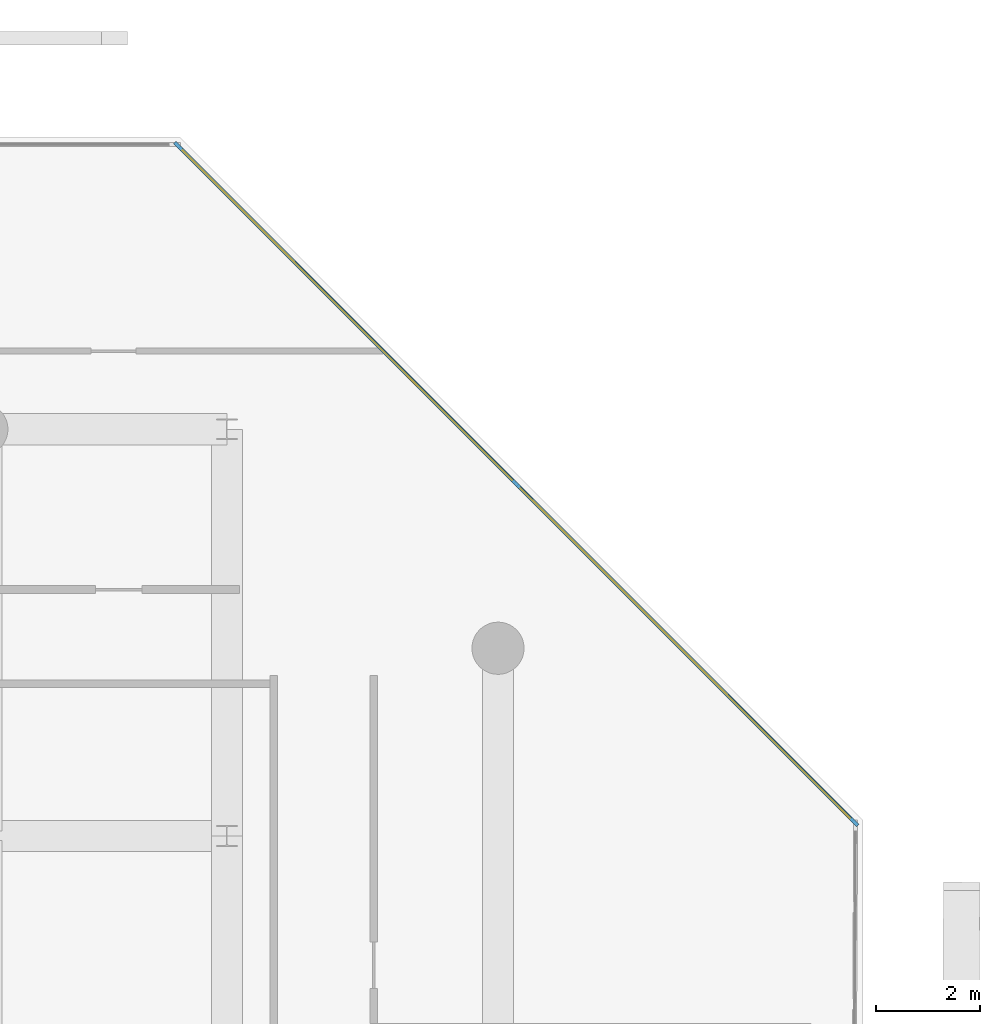
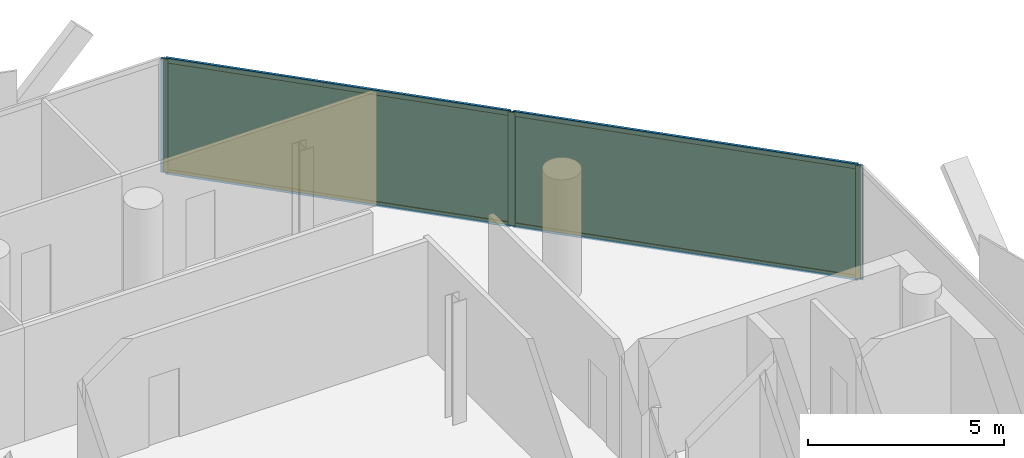
# One storey, part 13 of 16: 7 members, 2 plates, 1 curtain wall.
"""IFC4 building model written with IfcOpenShell, lengths in metres."""

from ifc_helpers import new_model, si_unit, direction, frame, frame_2d, origin, origin_2d, place, context, subcontext, project, spatial, rectangle, extrude, material, layer, layer_set, material_profile, profile_set, type_object, element, aggregate, save


model = new_model("IFC4")

# Units and contexts
model_context = context("Model", 3, precision=1e-05, world=origin(), true_north=direction((0.0, 1.0)))
body_context = subcontext(model_context, "Body", "Model", "MODEL_VIEW")
ifc_project = project(units=[si_unit("LENGTHUNIT", "METRE"), si_unit("AREAUNIT", "SQUARE_METRE"), si_unit("VOLUMEUNIT", "CUBIC_METRE"), si_unit("PLANEANGLEUNIT", "RADIAN"), si_unit("MASSUNIT", "GRAM", prefix="KILO")], contexts=[model_context])

# Member
ifc_material_1 = material(Name="Anodised Bronze Aluminium 6063-T6", Category="aluminium")
ifc_material_profile_1 = material_profile(ifc_material_1, rectangle(XDim=0.070068359375, YDim=0.18994140625, at=origin_2d()))
ifc_profile_set_1 = profile_set([ifc_material_profile_1], Name="Anodised Bronze Aluminium 6063-T6")
member_type_1 = type_object("IfcMemberType", Name="CW-SLC Mullion 70x190", PredefinedType="MULLION", material=ifc_profile_set_1)
site_placement = place(None, origin())
building_placement = place(site_placement, origin())
storey_placement = place(building_placement, frame((0.0, 0.0, 296.60009765625)))
member_1_placement = place(storey_placement, frame((8.266845703125, 24.03515625, 0.0), z_axis=(0.0, 0.0, 1.0), x_axis=(0.707106781187, 0.707106781187, 0.0)))
member_1 = element("IfcMember", 1, at=member_1_placement, type_object=member_type_1, Name="CW-SLC mullion 1", PredefinedType="MULLION", context=body_context, shape_type="SweptSolid", body=[
    extrude(rectangle(XDim=0.070068359375, YDim=0.18994140625, at=origin_2d()), origin(), (0.0, 0.0, 1.0), 3.539794921875),
])

member_2_placement = place(storey_placement, frame((14.7509765625, 17.551025390625, 0.0), z_axis=(0.0, 0.0, 1.0), x_axis=(0.707106781187, 0.707106781187, 0.0)))
member_2 = element("IfcMember", 2, at=member_2_placement, type_object=member_type_1, Name="CW-SLC mullion 2", PredefinedType="MULLION", context=body_context, shape_type="SweptSolid", body=[
    extrude(rectangle(XDim=0.070068359375, YDim=0.18994140625, at=origin_2d()), origin(), (0.0, 0.0, 1.0), 3.539794921875),
])

member_3_placement = place(storey_placement, frame((21.2353515625, 11.066650390625, 0.0), z_axis=(0.0, 0.0, 1.0), x_axis=(0.707106781187, 0.707106781187, 0.0)))
member_3 = element("IfcMember", 3, at=member_3_placement, type_object=member_type_1, Name="CW-SLC mullion 3", PredefinedType="MULLION", context=body_context, shape_type="SweptSolid", body=[
    extrude(rectangle(XDim=0.070068359375, YDim=0.18994140625, at=origin_2d()), origin(), (0.0, 0.0, 1.0), 3.539794921875),
])

ifc_material_2 = material(Name="Anodised Bronze Aluminium 6063-T6", Category="aluminium")
ifc_material_profile_2 = material_profile(ifc_material_2, rectangle(XDim=0.070068359375, YDim=0.14990234375, at=origin_2d()))
ifc_profile_set_2 = profile_set([ifc_material_profile_2], Name="Anodised Bronze Aluminium 6063-T6")
member_type_2 = type_object("IfcMemberType", Name="CW-SLC Transom 70x150", PredefinedType="USERDEFINED", material=ifc_profile_set_2)
member_4_placement = place(storey_placement, frame((8.29150390625, 24.010498046875, 0.034912109375), z_axis=(0.707106781187, -0.707106781187, 0.0), x_axis=(0.707106781187, 0.707106781187, 0.0)))
member_4 = element("IfcMember", 4, at=member_4_placement, type_object=member_type_2, Name="CW-SLC transom 1.1", ObjectType="TRANSOM", PredefinedType="USERDEFINED", context=body_context, shape_type="SweptSolid", body=[
    extrude(rectangle(XDim=0.070068359375, YDim=0.14990234375, at=origin_2d()), origin(), (0.0, 0.0, 1.0), 9.10009765625),
])

member_5_placement = place(storey_placement, frame((8.29150390625, 24.010498046875, 3.5048828125), z_axis=(0.707106781187, -0.707106781187, 0.0), x_axis=(0.707106781187, 0.707106781187, 0.0)))
member_5 = element("IfcMember", 5, at=member_5_placement, type_object=member_type_2, Name="CW-SLC transom 1.2", ObjectType="TRANSOM", PredefinedType="USERDEFINED", context=body_context, shape_type="SweptSolid", body=[
    extrude(rectangle(XDim=0.070068359375, YDim=0.14990234375, at=origin_2d()), origin(), (0.0, 0.0, 1.0), 9.10009765625),
])

member_6_placement = place(storey_placement, frame((14.775634765625, 17.5263671875, 0.034912109375), z_axis=(0.707106781187, -0.707106781187, 0.0), x_axis=(0.707106781187, 0.707106781187, 0.0)))
member_6 = element("IfcMember", 6, at=member_6_placement, type_object=member_type_2, Name="CW-SLC transom 2.1", ObjectType="TRANSOM", PredefinedType="USERDEFINED", context=body_context, shape_type="SweptSolid", body=[
    extrude(rectangle(XDim=0.070068359375, YDim=0.14990234375, at=origin_2d()), origin(), (0.0, 0.0, 1.0), 9.10009765625),
])

member_7_placement = place(storey_placement, frame((14.775634765625, 17.5263671875, 3.5048828125), z_axis=(0.707106781187, -0.707106781187, 0.0), x_axis=(0.707106781187, 0.707106781187, 0.0)))
member_7 = element("IfcMember", 7, at=member_7_placement, type_object=member_type_2, Name="CW-SLC transom 2.2", ObjectType="TRANSOM", PredefinedType="USERDEFINED", context=body_context, shape_type="SweptSolid", body=[
    extrude(rectangle(XDim=0.070068359375, YDim=0.14990234375, at=origin_2d()), origin(), (0.0, 0.0, 1.0), 9.10009765625),
])

# Plate
ifc_material_3 = material(Name="Low-E Solar Control Laminated Glass", Category="glass")
ifc_layer_1 = layer(ifc_material_3, 0.033935546875, Name="Low-E Solar Control Laminated Glass")
ifc_layer_set_1 = layer_set([ifc_layer_1], Name="Low-E Solar Control Laminated Glass")
plate_type = type_object("IfcPlateType", Name="CW-SLC Low-E Double Glazed Panel 34mm", PredefinedType="CURTAIN_PANEL", material=ifc_layer_set_1)
plate_1_placement = place(storey_placement, frame((11.5087890625, 20.793212890625, 0.070068359375), z_axis=(0.0, 0.0, 1.0), x_axis=(0.707106781187, -0.707106781187, 0.0)))
plate_1 = element("IfcPlate", 8, at=plate_1_placement, type_object=plate_type, Name="CW-SLC panel 1.1", PredefinedType="CURTAIN_PANEL", context=body_context, shape_type="SweptSolid", body=[
    extrude(rectangle(XDim=9.10009765625, YDim=0.033935546875, at=origin_2d()), origin(), (0.0, 0.0, 1.0), 3.39990234375),
])

plate_2_placement = place(storey_placement, frame((17.9931640625, 14.308837890625, 0.070068359375), z_axis=(0.0, 0.0, 1.0), x_axis=(0.707106781187, -0.707106781187, 0.0)))
plate_2 = element("IfcPlate", 9, at=plate_2_placement, type_object=plate_type, Name="CW-SLC panel 2.1", PredefinedType="CURTAIN_PANEL", context=body_context, shape_type="SweptSolid", body=[
    extrude(rectangle(XDim=9.10009765625, YDim=0.033935546875, at=origin_2d()), origin(), (0.0, 0.0, 1.0), 3.39990234375),
])

# Site, building, storey
site = spatial("IfcSite", under=ifc_project, at=site_placement, CompositionType="ELEMENT")
building = spatial("IfcBuilding", under=site, at=building_placement, Name="Khairoan Windgate Tower", CompositionType="ELEMENT")
storey = spatial("IfcBuildingStorey", under=building, at=storey_placement, Name="L71", CompositionType="ELEMENT", Elevation=296.60009765625)

# Curtain wall
ifc_material_4 = material(Name="Anodised Bronze Aluminium 6063-T6", Category="aluminium")
ifc_layer_2 = layer(ifc_material_4, 0.18994140625, Name="Anodised Bronze Aluminium 6063-T6")
ifc_layer_set_2 = layer_set([ifc_layer_2], Name="Anodised Bronze Aluminium 6063-T6")
curtain_wall_type = type_object("IfcCurtainWallType", Name="Diagonal Corner-Slice Facet Curtain Wall CW-SLC", PredefinedType="NOTDEFINED", material=ifc_layer_set_2)
curtain_wall_placement = place(storey_placement, frame((8.241943359375, 24.06005859375, 0.0), z_axis=(0.0, 0.0, 1.0), x_axis=(0.707106781187, -0.707106781187, 0.0)))
curtain_wall = element("IfcCurtainWall", 10, at=curtain_wall_placement, inside=storey, type_object=curtain_wall_type, Name="L71 Crystal Slice Curtain Wall 8", PredefinedType="NOTDEFINED", context=body_context, shape_type="SweptSolid", body=[
    extrude(rectangle(XDim=18.410400390625, YDim=0.010009765625, at=frame_2d((9.205078125, 0.0))), origin(), (0.0, 0.0, 1.0), 3.539794921875),
])

aggregate(curtain_wall, [member_1, member_2, member_3, member_4, member_5, plate_1, member_6, member_7, plate_2])

save(model, "model.ifc")
